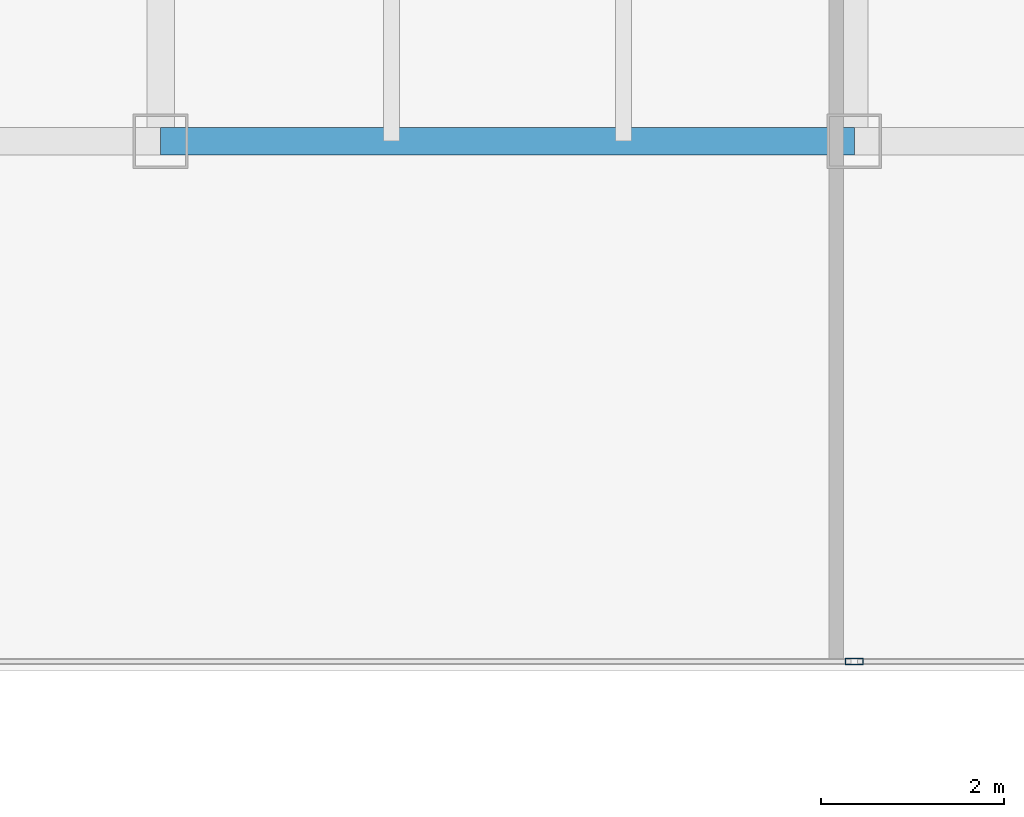
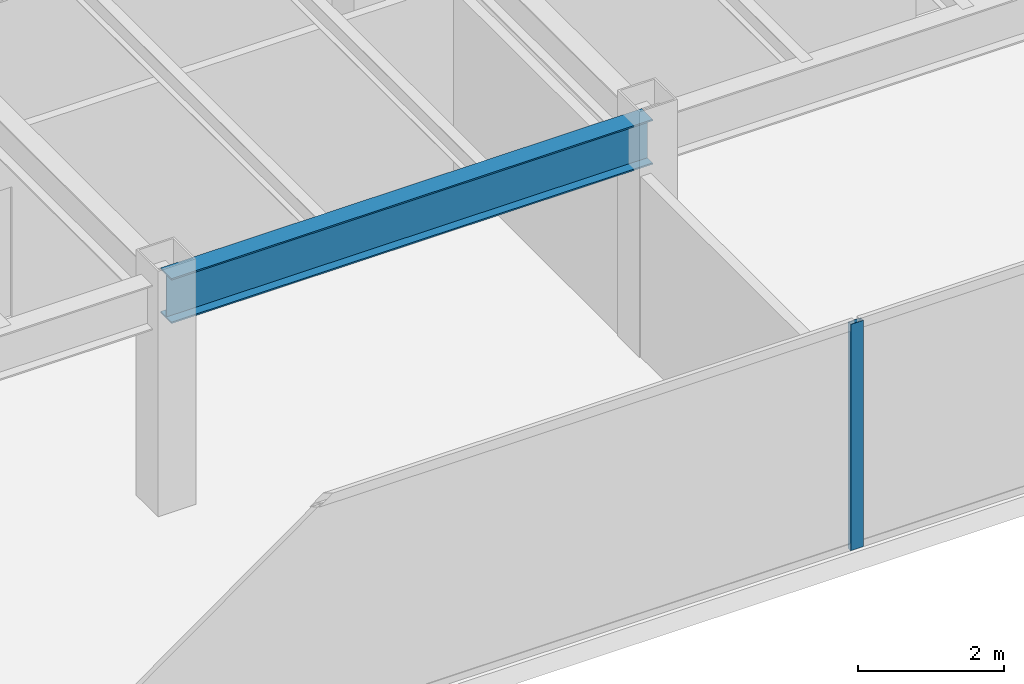
# One storey, part 8 of 35: 1 beam, 1 member, 1 element without a shape of its own.
"""IFC4 building model written with IfcOpenShell, lengths in metres."""

from ifc_helpers import new_model, si_unit, direction, frame, origin, origin_2d, place, context, subcontext, project, spatial, hollow_rectangle, i_section, extrude, source, transform, mapped, material, layer, layer_set, material_profile, profile_set, type_object, type_shapes, element, aggregate, save


model = new_model("IFC4")

# Units and contexts
model_context = context("Model", 3, precision=1e-05, world=origin(), true_north=direction((0.0, 1.0)))
body_context = subcontext(model_context, "Body", "Model", "MODEL_VIEW")
ifc_project = project(units=[si_unit("LENGTHUNIT", "METRE"), si_unit("AREAUNIT", "SQUARE_METRE"), si_unit("VOLUMEUNIT", "CUBIC_METRE"), si_unit("PLANEANGLEUNIT", "RADIAN"), si_unit("MASSUNIT", "GRAM", prefix="KILO")], contexts=[model_context])

# Site, building, storey
site_placement = place(None, origin())
site = spatial("IfcSite", under=ifc_project, at=site_placement, CompositionType="ELEMENT")
building_placement = place(site_placement, origin())
building = spatial("IfcBuilding", under=site, at=building_placement, Name="Haelvirn Gate Laboratories", CompositionType="ELEMENT")
storey_placement = place(building_placement, frame((0.0, 0.0, 70.300048828125)))
storey = spatial("IfcBuildingStorey", under=building, at=storey_placement, Name="L17", CompositionType="ELEMENT", Elevation=70.300048828125)

# Beam
ifc_material_1 = material(Name="Steel SM355", Category="steel")
ifc_material_profile_1 = material_profile(ifc_material_1, i_section(OverallWidth=0.300048828125, OverallDepth=0.75, WebThickness=0.013916015625, FlangeThickness=0.02392578125, at=origin_2d()), Name="H-750x300x14x24")
ifc_profile_set_1 = profile_set([ifc_material_profile_1], Name="Steel SM355")
beam_type = type_object("IfcBeamType", Name="BM-G-750", PredefinedType="BEAM", material=ifc_profile_set_1)
shared_shape_1 = source(origin(), body_context, "Body", "SweptSolid", [
    extrude(i_section(OverallWidth=0.300048828125, OverallDepth=0.75, WebThickness=0.013916015625, FlangeThickness=0.02392578125, at=origin_2d()), origin(), (0.0, 0.0, 1.0), 7.599853515625),
])
type_shapes(beam_type, [shared_shape_1])
beam_placement = place(storey_placement, frame((29.800048828125, 7.0, 3.405029296875), z_axis=(1.0, 0.0, 0.0), x_axis=(0.0, 1.0, 0.0)))
element("IfcBeam", 1, at=beam_placement, inside=storey, type_object=beam_type, Name="L17 Primary Girder Y7.0 (29.8-37.4)", PredefinedType="BEAM", context=body_context, shape_type="MappedRepresentation", body=[
    mapped(shared_shape_1, transform((0.0, 0.0, 0.0), scale=1.0)),
])

# Curtain wall, member
ifc_material_2 = material(Name="Anodised bronze unitised aluminium & triple low-E glass", Category="aluminium")
ifc_layer = layer(ifc_material_2, 0.18408203125, Name="CW-SYS-2")
ifc_layer_set = layer_set([ifc_layer], Name="Anodised bronze unitised aluminium & triple low-E glass")
curtain_wall_type = type_object("IfcCurtainWallType", Name="CW-SYS-2", PredefinedType="NOTDEFINED", material=ifc_layer_set)
curtain_wall_placement = place(storey_placement, origin())
curtain_wall = element("IfcCurtainWall", 2, at=curtain_wall_placement, inside=storey, type_object=curtain_wall_type, Name="L17 Unitised Curtain Wall CW-L17-P0-E02-1", PredefinedType="NOTDEFINED")
ifc_material_3 = material(Name="Extruded aluminium 6063-T6 (anodised bronze)", Category="aluminium")
ifc_material_profile_2 = material_profile(ifc_material_3, hollow_rectangle(XDim=0.074951171875, YDim=0.199951171875, WallThickness=0.0048828125, at=origin_2d()), Name="CWM-200x75x5")
ifc_profile_set_2 = profile_set([ifc_material_profile_2], Name="Extruded aluminium 6063-T6 (anodised bronze)")
member_type = type_object("IfcMemberType", Name="CWM-T200", PredefinedType="MULLION", material=ifc_profile_set_2)
shared_shape_2 = source(origin(), body_context, "Body", "SweptSolid", [
    extrude(hollow_rectangle(XDim=0.074951171875, YDim=0.199951171875, WallThickness=0.0048828125, at=origin_2d()), origin(), (0.0, 0.0, 1.0), 3.780029296875),
])
type_shapes(member_type, [shared_shape_2])
member_placement = place(storey_placement, frame((37.39990234375, 1.300048828125, 0.0), z_axis=(0.0, 0.0, 1.0), x_axis=(0.0, 1.0, 0.0)))
member = element("IfcMember", 3, at=member_placement, type_object=member_type, Name="CW2 mullion 2", PredefinedType="MULLION", context=body_context, shape_type="MappedRepresentation", body=[
    mapped(shared_shape_2, transform((0.0, 0.0, 0.0), scale=1.0)),
])
aggregate(curtain_wall, [member])

save(model, "model.ifc")
